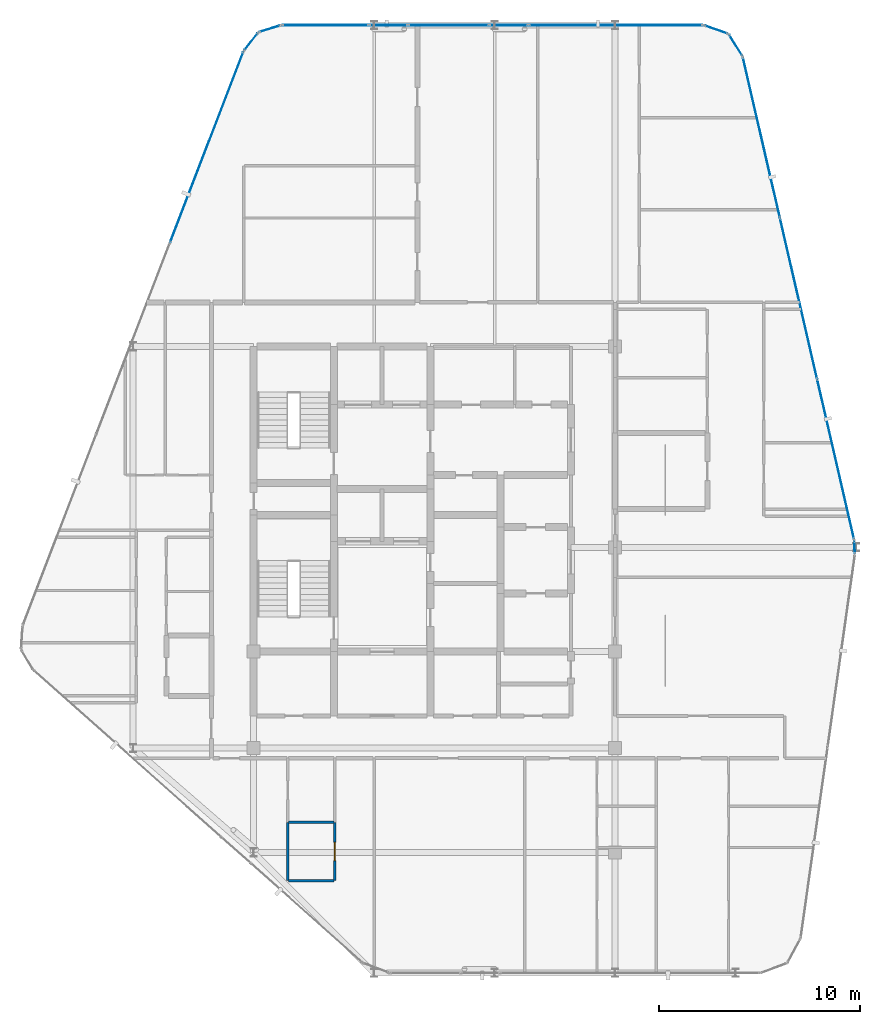
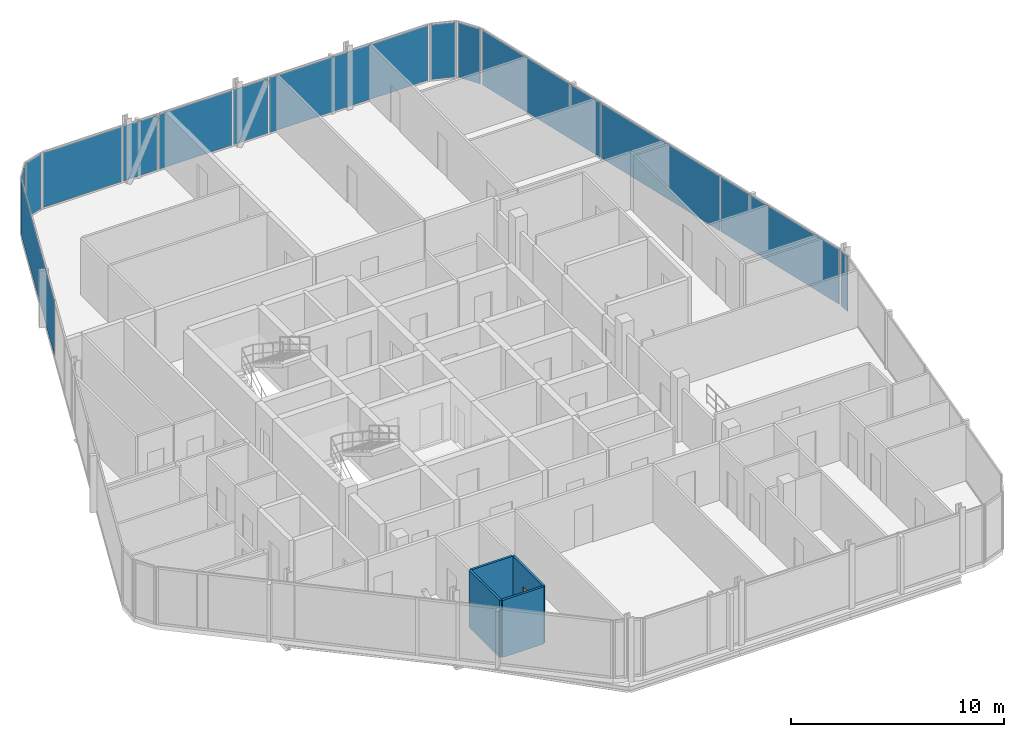
# One storey, part 21 of 27: 14 plates, 4 walls, 1 door, 1 opening, 12 elements without a shape of their own.
"""IFC4 building model written with IfcOpenShell, lengths in metres."""

from ifc_helpers import new_model, si_unit, direction, frame, frame_2d, origin, origin_2d, place, context, subcontext, project, spatial, rectangle, extrude, material, layer, layer_set, type_object, element, fill, aggregate, save


model = new_model("IFC4")

# Units and contexts
model_context = context("Model", 3, precision=1e-05, world=origin(), true_north=direction((0.0, 1.0)))
body_context = subcontext(model_context, "Body", "Model", "MODEL_VIEW")
ifc_project = project(units=[si_unit("LENGTHUNIT", "METRE"), si_unit("AREAUNIT", "SQUARE_METRE"), si_unit("VOLUMEUNIT", "CUBIC_METRE"), si_unit("PLANEANGLEUNIT", "RADIAN"), si_unit("MASSUNIT", "GRAM", prefix="KILO")], contexts=[model_context])

# Site, building, storey
site_placement = place(None, origin())
site = spatial("IfcSite", under=ifc_project, at=site_placement, CompositionType="ELEMENT")
building_placement = place(site_placement, origin())
building = spatial("IfcBuilding", under=site, at=building_placement, Name="Keshet Zoharim Tower", CompositionType="ELEMENT")
storey_placement = place(building_placement, frame((0.0, 0.0, 311.0)))
storey = spatial("IfcBuildingStorey", under=building, at=storey_placement, Name="L78", CompositionType="ELEMENT", Elevation=311.0)

# Curtain wall, plate
ifc_material_1 = material(Name="Aluminium 6063-T6", Category="aluminium")
ifc_layer_1 = layer(ifc_material_1, 0.260009765625)
ifc_layer_set_1 = layer_set([ifc_layer_1], Name="Aluminium 6063-T6")
curtain_wall_type = type_object("IfcCurtainWallType", Name="CW-SYS-06", PredefinedType="NOTDEFINED", material=ifc_layer_set_1)
curtain_wall_1_placement = place(storey_placement, origin())
curtain_wall_1 = element("IfcCurtainWall", 1, at=curtain_wall_1_placement, inside=storey, type_object=curtain_wall_type, Name="L78 Unitised Curtain Wall 03", PredefinedType="NOTDEFINED")
ifc_material_2 = material(Name="Insulated Low-E Clear Glass", Category="glass")
ifc_layer_2 = layer(ifc_material_2, 0.028076171875)
ifc_layer_set_2 = layer_set([ifc_layer_2], Name="Insulated Low-E Clear Glass")
plate_type_1 = type_object("IfcPlateType", Name="CWP-03", PredefinedType="CURTAIN_PANEL", material=ifc_layer_set_2)
plate_1_placement = place(storey_placement, frame((12.665771484375, 47.830810546875, 0.06982421875), z_axis=(0.0, 0.0, 1.0), x_axis=(0.358990003907, 0.933341404361, 0.0)))
plate_1 = element("IfcPlate", 2, at=plate_1_placement, type_object=plate_type_1, Name="CW-06 panel 3.1", PredefinedType="CURTAIN_PANEL", context=body_context, shape_type="SweptSolid", body=[
    extrude(rectangle(XDim=10.1181640625, YDim=0.028076171875, at=origin_2d()), origin(), (0.0, 0.0, 1.0), 3.139892578125),
])
aggregate(curtain_wall_1, [plate_1])

curtain_wall_2_placement = place(storey_placement, origin())
curtain_wall_2 = element("IfcCurtainWall", 3, at=curtain_wall_2_placement, inside=storey, type_object=curtain_wall_type, Name="L78 Unitised Curtain Wall 04", PredefinedType="NOTDEFINED")
plate_2_placement = place(storey_placement, frame((14.8740234375, 53.08349609375, 0.06982421875), z_axis=(0.0, 0.0, 1.0), x_axis=(0.619124525989, 0.785292825205, 0.0)))
plate_2 = element("IfcPlate", 4, at=plate_2_placement, type_object=plate_type_1, Name="CW-06 panel 1.1", PredefinedType="CURTAIN_PANEL", context=body_context, shape_type="SweptSolid", body=[
    extrude(rectangle(XDim=1.045654296875, YDim=0.028076171875, at=origin_2d()), origin(), (0.0, 0.0, 1.0), 3.139892578125),
])
aggregate(curtain_wall_2, [plate_2])

curtain_wall_3_placement = place(storey_placement, origin())
curtain_wall_3 = element("IfcCurtainWall", 5, at=curtain_wall_3_placement, inside=storey, type_object=curtain_wall_type, Name="L78 Unitised Curtain Wall 05", PredefinedType="NOTDEFINED")
plate_3_placement = place(storey_placement, frame((15.8076171875, 53.724609375, 0.06982421875), z_axis=(0.0, 0.0, 1.0), x_axis=(0.955212151288, 0.295921857984, 0.0)))
plate_3 = element("IfcPlate", 6, at=plate_3_placement, type_object=plate_type_1, Name="CW-06 panel 1.1", PredefinedType="CURTAIN_PANEL", context=body_context, shape_type="SweptSolid", body=[
    extrude(rectangle(XDim=1.046142578125, YDim=0.028076171875, at=origin_2d()), origin(), (0.0, 0.0, 1.0), 3.139892578125),
])
aggregate(curtain_wall_3, [plate_3])

curtain_wall_4_placement = place(storey_placement, origin())
curtain_wall_4 = element("IfcCurtainWall", 7, at=curtain_wall_4_placement, inside=storey, type_object=curtain_wall_type, Name="L78 Unitised Curtain Wall 06", PredefinedType="NOTDEFINED")
plate_4_placement = place(storey_placement, frame((18.574951171875, 53.89990234375, 0.06982421875), z_axis=(0.0, 0.0, 1.0), x_axis=(1.0, 0.0, 0.0)))
plate_4 = element("IfcPlate", 8, at=plate_4_placement, type_object=plate_type_1, Name="CW-06 panel 1.1", PredefinedType="CURTAIN_PANEL", context=body_context, shape_type="SweptSolid", body=[
    extrude(rectangle(XDim=4.261962890625, YDim=0.028076171875, at=origin_2d()), origin(), (0.0, 0.0, 1.0), 3.139892578125),
])
aggregate(curtain_wall_4, [plate_4])

curtain_wall_5_placement = place(storey_placement, origin())
curtain_wall_5 = element("IfcCurtainWall", 9, at=curtain_wall_5_placement, inside=storey, type_object=curtain_wall_type, Name="L78 Unitised Curtain Wall 06 Part 3", PredefinedType="NOTDEFINED")
plate_5_placement = place(storey_placement, frame((24.715087890625, 53.89990234375, 0.06982421875), z_axis=(0.0, 0.0, 1.0), x_axis=(1.0, 0.0, 0.0)))
plate_5 = element("IfcPlate", 10, at=plate_5_placement, type_object=plate_type_1, Name="CW-06 panel 1.1", PredefinedType="CURTAIN_PANEL", context=body_context, shape_type="SweptSolid", body=[
    extrude(rectangle(XDim=3.981689453125, YDim=0.028076171875, at=origin_2d()), origin(), (0.0, 0.0, 1.0), 3.139892578125),
])
aggregate(curtain_wall_5, [plate_5])

curtain_wall_6_placement = place(storey_placement, origin())
curtain_wall_6 = element("IfcCurtainWall", 11, at=curtain_wall_6_placement, inside=storey, type_object=curtain_wall_type, Name="L78 Unitised Curtain Wall 06 Part 5", PredefinedType="NOTDEFINED")
plate_6_placement = place(storey_placement, frame((33.031494140625, 53.89990234375, 0.06982421875), z_axis=(0.0, 0.0, 1.0), x_axis=(1.0, 0.0, 0.0)))
plate_6 = element("IfcPlate", 12, at=plate_6_placement, type_object=plate_type_1, Name="CW-06 panel 1.1", PredefinedType="CURTAIN_PANEL", context=body_context, shape_type="SweptSolid", body=[
    extrude(rectangle(XDim=8.614990234375, YDim=0.028076171875, at=origin_2d()), origin(), (0.0, 0.0, 1.0), 3.139892578125),
])
aggregate(curtain_wall_6, [plate_6])

curtain_wall_7_placement = place(storey_placement, origin())
curtain_wall_7 = element("IfcCurtainWall", 13, at=curtain_wall_7_placement, inside=storey, type_object=curtain_wall_type, Name="L78 Unitised Curtain Wall 07", PredefinedType="NOTDEFINED")
plate_7_placement = place(storey_placement, frame((38.031494140625, 53.6826171875, 0.06982421875), z_axis=(0.0, 0.0, 1.0), x_axis=(0.944035542119, -0.329843743636, 0.0)))
plate_7 = element("IfcPlate", 14, at=plate_7_placement, type_object=plate_type_1, Name="CW-06 panel 1.1", PredefinedType="CURTAIN_PANEL", context=body_context, shape_type="SweptSolid", body=[
    extrude(rectangle(XDim=1.1787109375, YDim=0.028076171875, at=origin_2d()), origin(), (0.0, 0.0, 1.0), 3.139892578125),
])
aggregate(curtain_wall_7, [plate_7])

curtain_wall_8_placement = place(storey_placement, origin())
curtain_wall_8 = element("IfcCurtainWall", 15, at=curtain_wall_8_placement, inside=storey, type_object=curtain_wall_type, Name="L78 Unitised Curtain Wall 08", PredefinedType="NOTDEFINED")
plate_8_placement = place(storey_placement, frame((39.006103515625, 52.907470703125, 0.06982421875), z_axis=(0.0, 0.0, 1.0), x_axis=(0.533878858502, -0.845560976183, 0.0)))
plate_8 = element("IfcPlate", 16, at=plate_8_placement, type_object=plate_type_1, Name="CW-06 panel 1.1", PredefinedType="CURTAIN_PANEL", context=body_context, shape_type="SweptSolid", body=[
    extrude(rectangle(XDim=1.1787109375, YDim=0.028076171875, at=origin_2d()), origin(), (0.0, 0.0, 1.0), 3.139892578125),
])
aggregate(curtain_wall_8, [plate_8])

# Curtain wall, plates
curtain_wall_9_placement = place(storey_placement, origin())
curtain_wall_9 = element("IfcCurtainWall", 17, at=curtain_wall_9_placement, inside=storey, type_object=curtain_wall_type, Name="L78 Unitised Curtain Wall 09", PredefinedType="NOTDEFINED")
plate_9_placement = place(storey_placement, frame((40.288330078125, 48.318359375, 0.06982421875), z_axis=(0.0, 0.0, 1.0), x_axis=(0.224829963294, -0.974398012932, 0.0)))
plate_9 = element("IfcPlate", 18, at=plate_9_placement, type_object=plate_type_1, Name="CW-06 panel 1.1", PredefinedType="CURTAIN_PANEL", context=body_context, shape_type="SweptSolid", body=[
    extrude(rectangle(XDim=8.13525390625, YDim=0.028076171875, at=origin_2d()), origin(), (0.0, 0.0, 1.0), 3.139892578125),
])
plate_10_placement = place(storey_placement, frame((42.136962890625, 40.305908203125, 0.06982421875), z_axis=(0.0, 0.0, 1.0), x_axis=(0.224829963294, -0.974398012932, 0.0)))
plate_10 = element("IfcPlate", 19, at=plate_10_placement, type_object=plate_type_1, Name="CW-06 panel 2.1", PredefinedType="CURTAIN_PANEL", context=body_context, shape_type="SweptSolid", body=[
    extrude(rectangle(XDim=8.17041015625, YDim=0.028076171875, at=origin_2d()), origin(), (0.0, 0.0, 1.0), 3.139892578125),
])
plate_11_placement = place(storey_placement, frame((43.98583984375, 32.293701171875, 0.06982421875), z_axis=(0.0, 0.0, 1.0), x_axis=(0.224829963294, -0.974398012932, 0.0)))
plate_11 = element("IfcPlate", 20, at=plate_11_placement, type_object=plate_type_1, Name="CW-06 panel 3.1", PredefinedType="CURTAIN_PANEL", context=body_context, shape_type="SweptSolid", body=[
    extrude(rectangle(XDim=8.13525390625, YDim=0.028076171875, at=origin_2d()), origin(), (0.0, 0.0, 1.0), 3.139892578125),
])
aggregate(curtain_wall_9, [plate_9, plate_10, plate_11])

# Curtain wall, plate
curtain_wall_10_placement = place(storey_placement, origin())
curtain_wall_10 = element("IfcCurtainWall", 21, at=curtain_wall_10_placement, inside=storey, type_object=curtain_wall_type, Name="L78 Unitised Curtain Wall 10", PredefinedType="NOTDEFINED")
plate_12_placement = place(storey_placement, frame((44.931884765625, 27.89697265625, 0.06982421875), z_axis=(0.0, 0.0, 1.0), x_axis=(0.043793560626, -0.999040601801, 0.0)))
plate_12 = element("IfcPlate", 22, at=plate_12_placement, type_object=plate_type_1, Name="CW-06 panel 1.1", PredefinedType="CURTAIN_PANEL", context=body_context, shape_type="SweptSolid", body=[
    extrude(rectangle(XDim=0.5908203125, YDim=0.028076171875, at=origin_2d()), origin(), (0.0, 0.0, 1.0), 3.139892578125),
])
aggregate(curtain_wall_10, [plate_12])

curtain_wall_11_placement = place(storey_placement, origin())
curtain_wall_11 = element("IfcCurtainWall", 23, at=curtain_wall_11_placement, inside=storey, type_object=curtain_wall_type, Name="L78 Unitised Curtain Wall 06 Part 2", PredefinedType="NOTDEFINED")
ifc_material_3 = material(Name="Insulated Aluminium Spandrel Panel", Category="aluminium")
ifc_layer_3 = layer(ifc_material_3, 0.028076171875)
ifc_layer_set_3 = layer_set([ifc_layer_3], Name="Insulated Aluminium Spandrel Panel")
plate_type_2 = type_object("IfcPlateType", Name="CWP-06", PredefinedType="CURTAIN_PANEL", material=ifc_layer_set_3)
plate_13_placement = place(storey_placement, frame((21.715087890625, 53.89990234375, 0.06982421875), z_axis=(0.0, 0.0, 1.0), x_axis=(1.0, 0.0, 0.0)))
plate_13 = element("IfcPlate", 24, at=plate_13_placement, type_object=plate_type_2, Name="CW-06 spandrel panel 1.1", PredefinedType="CURTAIN_PANEL", context=body_context, shape_type="SweptSolid", body=[
    extrude(rectangle(XDim=1.878173828125, YDim=0.028076171875, at=origin_2d()), origin(), (0.0, 0.0, 1.0), 3.139892578125),
])
aggregate(curtain_wall_11, [plate_13])

curtain_wall_12_placement = place(storey_placement, origin())
curtain_wall_12 = element("IfcCurtainWall", 25, at=curtain_wall_12_placement, inside=storey, type_object=curtain_wall_type, Name="L78 Unitised Curtain Wall 06 Part 4", PredefinedType="NOTDEFINED")
plate_14_placement = place(storey_placement, frame((27.715087890625, 53.89990234375, 0.06982421875), z_axis=(0.0, 0.0, 1.0), x_axis=(1.0, 0.0, 0.0)))
plate_14 = element("IfcPlate", 26, at=plate_14_placement, type_object=plate_type_2, Name="CW-06 spandrel panel 1.1", PredefinedType="CURTAIN_PANEL", context=body_context, shape_type="SweptSolid", body=[
    extrude(rectangle(XDim=1.878173828125, YDim=0.028076171875, at=origin_2d()), origin(), (0.0, 0.0, 1.0), 3.139892578125),
])
aggregate(curtain_wall_12, [plate_14])

# Wall
ifc_material_4 = material(Name="Gypsum Plasterboard", Category="gypsum")
ifc_layer_4 = layer(ifc_material_4, 0.1201171875)
ifc_layer_set_4 = layer_set([ifc_layer_4], Name="Gypsum Plasterboard")
wall_type = type_object("IfcWallType", Name="WL-WET-120", PredefinedType="PARTITIONING", material=ifc_layer_set_4)
wall_1_placement = place(storey_placement, frame((16.699951171875, 11.300048828125, 0.0), z_axis=(0.0, 0.0, 1.0), x_axis=(0.0, 1.0, 0.0)))
element("IfcWall", 27, at=wall_1_placement, inside=storey, type_object=wall_type, Name="L78 Interior Wall 022", PredefinedType="PARTITIONING", context=body_context, shape_type="SweptSolid", body=[
    extrude(rectangle(XDim=2.89990234375, YDim=0.1201171875, at=frame_2d((1.449951171875, 0.0))), origin(), (0.0, 0.0, 1.0), 3.280029296875),
])

# Wall, opening, door
wall_2_placement = place(storey_placement, frame((19.050048828125, 11.300048828125, 0.0), z_axis=(0.0, 0.0, 1.0), x_axis=(0.0, 1.0, 0.0)))
wall_2 = element("IfcWall", 28, at=wall_2_placement, inside=storey, type_object=wall_type, Name="L78 Interior Wall 029", PredefinedType="PARTITIONING", context=body_context, shape_type="SweptSolid", body=[
    extrude(rectangle(XDim=2.89990234375, YDim=0.1201171875, at=frame_2d((1.449951171875, 0.0))), origin(), (0.0, 0.0, 1.0), 3.280029296875),
])
opening_placement = place(wall_2_placement, frame((1.0, 0.0, 0.0)))
opening = element("IfcOpeningElement", 29, at=opening_placement, cuts=wall_2, Name="Opening D-WT90", PredefinedType="OPENING", context=body_context, shape_type="SweptSolid", body=[
    extrude(rectangle(XDim=0.89990234375, YDim=2.10009765625, at=frame_2d((0.449951171875, 1.050048828125))), frame((0.0, 0.070068359375, 0.0), z_axis=(0.0, -1.0, 0.0), x_axis=(1.0, 0.0, 0.0)), (0.0, 0.0, 1.0), 0.14013671875),
])
ifc_material_5 = material(Name="Hardwood Timber", Category="wood")
door_type = type_object("IfcDoorType", Name="DR-WET-090", OperationType="NOTDEFINED", PredefinedType="DOOR", material=ifc_material_5)
door_placement = place(opening_placement, origin())
door = element("IfcDoor", 30, at=door_placement, inside=storey, type_object=door_type, Name="Apartment 7801 Bathroom Door", OperationType="SINGLE_SWING_LEFT", OverallHeight=2.10009765625, OverallWidth=0.89990234375, PredefinedType="DOOR", context=body_context, shape_type="SweptSolid", body=[
    extrude(rectangle(XDim=0.89990234375, YDim=2.10009765625, at=frame_2d((0.449951171875, 1.050048828125))), frame((0.0, 0.02490234375, 0.0), z_axis=(0.0, -1.0, 0.0), x_axis=(1.0, 0.0, 0.0)), (0.0, 0.0, 1.0), 0.050048828125),
])
fill(opening, door)

# Walls
for number, where, z_axis, x_axis, name in (
    (31, (16.7451171875, 11.300048828125, 0.0), (0.0, 0.0, 1.0), (1.0, 0.0, 0.0), "L78 Interior Wall 083"),
    (32, (16.7451171875, 14.199951171875, 0.0), (0.0, 0.0, 1.0), (1.0, 0.0, 0.0), "L78 Interior Wall 086"),
):
    element("IfcWall", number, at=place(storey_placement, frame(where, z_axis=z_axis, x_axis=x_axis)), inside=storey, type_object=wall_type, Name=name, PredefinedType="PARTITIONING", context=body_context, shape_type="SweptSolid", body=[
        extrude(rectangle(XDim=2.259765625, YDim=0.1201171875, at=frame_2d((1.1298828125, 0.0))), origin(), (0.0, 0.0, 1.0), 3.280029296875),
    ])

save(model, "model.ifc")
